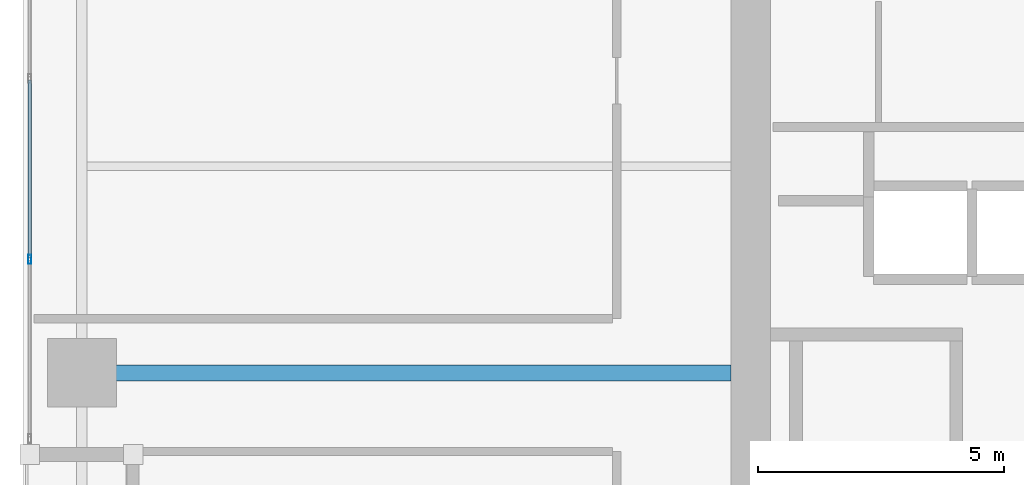
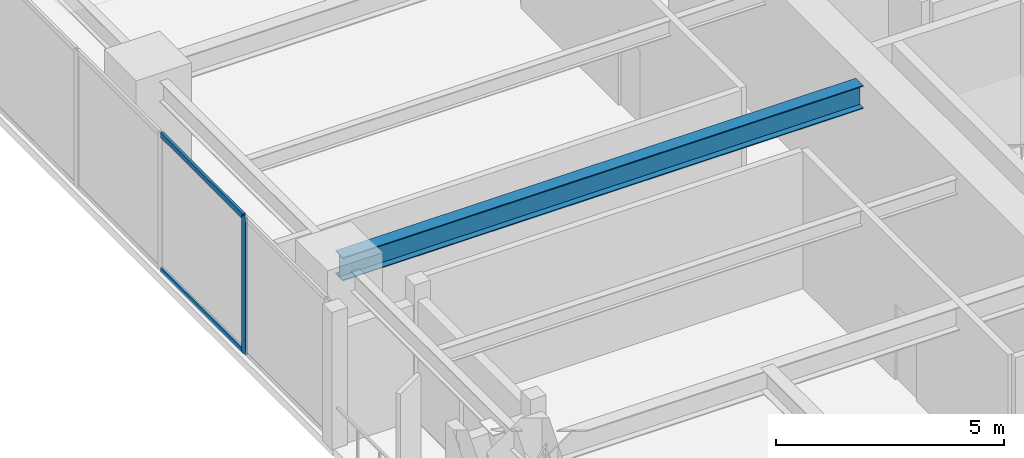
# One storey, part 4 of 30: 3 members, 1 beam, 1 element without a shape of its own.
"""IFC4 building model written with IfcOpenShell, lengths in metres."""

from ifc_helpers import new_model, si_unit, direction, frame, origin, origin_2d, place, context, subcontext, project, spatial, hollow_rectangle, i_section, extrude, material, layer, layer_set, material_profile, profile_set, type_object, element, aggregate, save


model = new_model("IFC4")

# Units and contexts
model_context = context("Model", 3, precision=1e-05, world=origin(), true_north=direction((0.0, 1.0)))
body_context = subcontext(model_context, "Body", "Model", "MODEL_VIEW")
ifc_project = project(units=[si_unit("LENGTHUNIT", "METRE"), si_unit("AREAUNIT", "SQUARE_METRE"), si_unit("VOLUMEUNIT", "CUBIC_METRE"), si_unit("PLANEANGLEUNIT", "RADIAN"), si_unit("MASSUNIT", "GRAM", prefix="KILO")], contexts=[model_context])

# Site, building, storey
site_placement = place(None, origin())
site = spatial("IfcSite", under=ifc_project, at=site_placement, CompositionType="ELEMENT")
building_placement = place(site_placement, origin())
building = spatial("IfcBuilding", under=site, at=building_placement, Name="Kiyonajd Concourse Tower", CompositionType="ELEMENT")
storey_placement = place(building_placement, frame((0.0, 0.0, 154.5)))
storey = spatial("IfcBuildingStorey", under=building, at=storey_placement, Name="L39", CompositionType="ELEMENT", Elevation=154.5)

# Beam
ifc_material_1 = material(Name="Steel ASTM A992 Grade 50", Category="steel")
ifc_material_profile_1 = material_profile(ifc_material_1, i_section(OverallWidth=0.326904296875, OverallDepth=0.6220703125, WebThickness=0.015380859375, FlangeThickness=0.0244140625, at=origin_2d()), Name="W610X195")
ifc_profile_set_1 = profile_set([ifc_material_profile_1], Name="Steel ASTM A992 Grade 50")
beam_type = type_object("IfcBeamType", Name="BM-TWR-610A", PredefinedType="BEAM", material=ifc_profile_set_1)
beam_placement = place(storey_placement, frame((19.199951171875, 36.0, 3.368896484375), z_axis=(1.0, 0.0, 0.0), x_axis=(0.0, 1.0, 0.0)))
element("IfcBeam", 1, at=beam_placement, inside=storey, type_object=beam_type, Name="L39 West Lease Girder", PredefinedType="BEAM", context=body_context, shape_type="SweptSolid", body=[
    extrude(i_section(OverallWidth=0.326904296875, OverallDepth=0.6220703125, WebThickness=0.015380859375, FlangeThickness=0.0244140625, at=origin_2d()), origin(), (0.0, 0.0, 1.0), 13.199951171875),
])

# Curtain wall, members
ifc_material_2 = material(Name="Thermally Broken Anodised Aluminium", Category="aluminium")
ifc_layer = layer(ifc_material_2, 0.179931640625)
ifc_layer_set = layer_set([ifc_layer], Name="Thermally Broken Anodised Aluminium")
curtain_wall_type = type_object("IfcCurtainWallType", Name="CW-SYS-03", PredefinedType="NOTDEFINED", material=ifc_layer_set)
curtain_wall_placement = place(storey_placement, origin())
curtain_wall = element("IfcCurtainWall", 2, at=curtain_wall_placement, inside=storey, type_object=curtain_wall_type, Name="L39 Unitised Curtain Wall CW3", PredefinedType="NOTDEFINED")
ifc_material_profile_2 = material_profile(ifc_material_2, hollow_rectangle(XDim=0.06494140625, YDim=0.179931640625, WallThickness=0.00390625, at=origin_2d()), Name="MULL-65x180")
ifc_profile_set_2 = profile_set([ifc_material_profile_2], Name="Thermally Broken Anodised Aluminium")
member_type_1 = type_object("IfcMemberType", Name="MB-CW-MULL1", PredefinedType="MULLION", material=ifc_profile_set_2)
member_1_placement = place(storey_placement, frame((18.139892578125, 38.306884765625, 0.0), z_axis=(0.0, 0.0, 1.0), x_axis=(-1.0, 0.0, 0.0)))
member_1 = element("IfcMember", 3, at=member_1_placement, type_object=member_type_1, Name="CW3 mullion 2", PredefinedType="MULLION", context=body_context, shape_type="SweptSolid", body=[
    extrude(hollow_rectangle(XDim=0.06494140625, YDim=0.179931640625, WallThickness=0.00390625, at=origin_2d()), origin(), (0.0, 0.0, 1.0), 3.679931640625),
])
ifc_material_profile_3 = material_profile(ifc_material_2, hollow_rectangle(XDim=0.06494140625, YDim=0.139892578125, WallThickness=0.00390625, at=origin_2d()), Name="TRAN-65x140")
ifc_profile_set_3 = profile_set([ifc_material_profile_3], Name="Thermally Broken Anodised Aluminium")
member_type_2 = type_object("IfcMemberType", Name="MB-CW-TRAN1", PredefinedType="USERDEFINED", material=ifc_profile_set_3)
member_2_placement = place(storey_placement, frame((18.139892578125, 38.33935546875, 0.032470703125), z_axis=(0.0, 1.0, 0.0), x_axis=(-1.0, 0.0, 0.0)))
member_2 = element("IfcMember", 4, at=member_2_placement, type_object=member_type_2, Name="CW3 transom 2.1", ObjectType="TRANSOM", PredefinedType="USERDEFINED", context=body_context, shape_type="SweptSolid", body=[
    extrude(hollow_rectangle(XDim=0.06494140625, YDim=0.139892578125, WallThickness=0.00390625, at=origin_2d()), origin(), (0.0, 0.0, 1.0), 3.612060546875),
])
member_3_placement = place(storey_placement, frame((18.139892578125, 38.33935546875, 3.6474609375), z_axis=(0.0, 1.0, 0.0), x_axis=(-1.0, 0.0, 0.0)))
member_3 = element("IfcMember", 5, at=member_3_placement, type_object=member_type_2, Name="CW3 transom 2.2", ObjectType="TRANSOM", PredefinedType="USERDEFINED", context=body_context, shape_type="SweptSolid", body=[
    extrude(hollow_rectangle(XDim=0.06494140625, YDim=0.139892578125, WallThickness=0.00390625, at=origin_2d()), origin(), (0.0, 0.0, 1.0), 3.612060546875),
])
aggregate(curtain_wall, [member_1, member_2, member_3])

save(model, "model.ifc")
